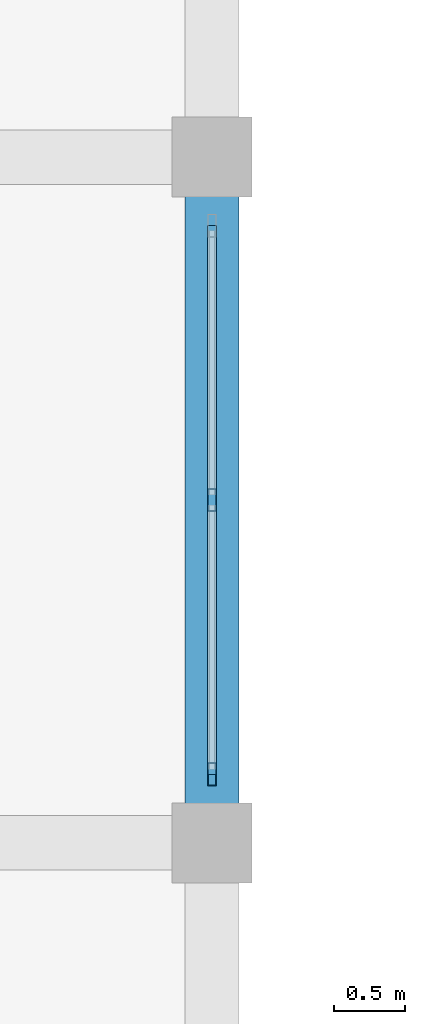
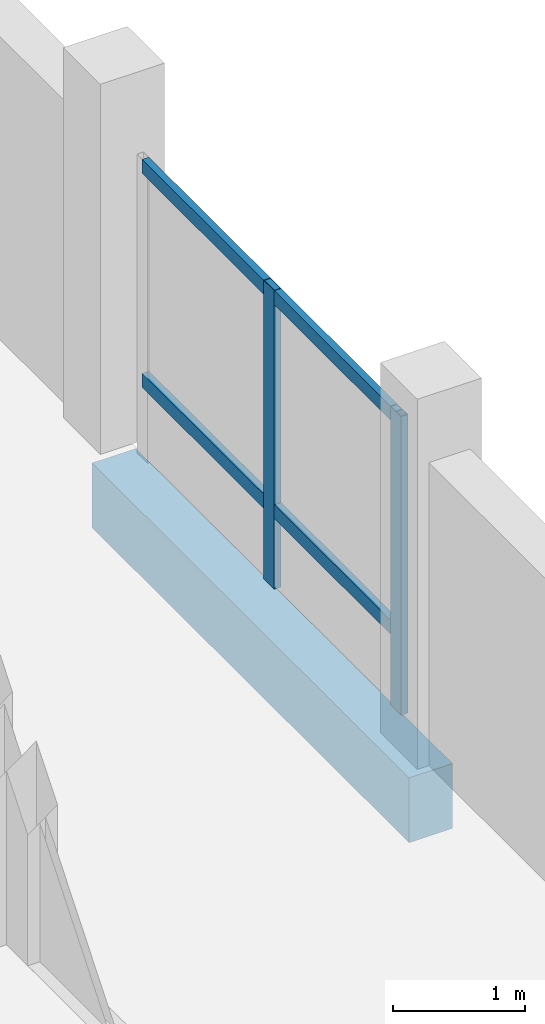
# One storey, part 14 of 84: 4 members, 1 beam, 1 element without a shape of its own.
"""IFC4 building model written with IfcOpenShell, lengths in metres."""

from ifc_helpers import new_model, si_unit, direction, frame, origin, origin_2d, place, context, subcontext, project, spatial, rectangle, hollow_rectangle, extrude, material, material_profile, profile_set, type_object, element, aggregate, save


model = new_model("IFC4")

# Units and contexts
model_context = context("Model", 3, precision=1e-05, world=origin(), true_north=direction((0.0, 1.0)))
body_context = subcontext(model_context, "Body", "Model", "MODEL_VIEW")
ifc_project = project(units=[si_unit("LENGTHUNIT", "METRE"), si_unit("AREAUNIT", "SQUARE_METRE"), si_unit("VOLUMEUNIT", "CUBIC_METRE"), si_unit("PLANEANGLEUNIT", "RADIAN"), si_unit("MASSUNIT", "GRAM", prefix="KILO")], contexts=[model_context])

# Site, building, storey
site_placement = place(None, origin())
site = spatial("IfcSite", under=ifc_project, at=site_placement, CompositionType="ELEMENT")
building_placement = place(site_placement, origin())
building = spatial("IfcBuilding", under=site, at=building_placement, Name="Zornivar Specialist Clinic", CompositionType="ELEMENT")
storey_placement = place(building_placement, frame((0.0, 0.0, 12.300048828125)))
storey = spatial("IfcBuildingStorey", under=building, at=storey_placement, Name="L03", CompositionType="ELEMENT", Elevation=12.300048828125)

# Beam
ifc_material_1 = material(Name="Concrete C30/37", Category="concrete")
ifc_material_profile_1 = material_profile(ifc_material_1, rectangle(XDim=0.3798828125, YDim=0.60009765625, at=origin_2d()), Name="RC 380x600")
ifc_profile_set_1 = profile_set([ifc_material_profile_1], Name="Concrete C30/37")
beam_type = type_object("IfcBeamType", Name="BM-RC-380x600", PredefinedType="BEAM", material=ifc_profile_set_1)
beam_placement = place(storey_placement, frame((14.39990234375, 43.199951171875, -0.580078125), z_axis=(0.0, 1.0, 0.0), x_axis=(-1.0, 0.0, 0.0)))
element("IfcBeam", 1, at=beam_placement, inside=storey, type_object=beam_type, Name="bm:V2:L03:y:144:6", PredefinedType="BEAM", context=body_context, shape_type="SweptSolid", body=[
    extrude(rectangle(XDim=0.3798828125, YDim=0.60009765625, at=origin_2d()), origin(), (0.0, 0.0, 1.0), 4.800048828125),
])

# Curtain wall, members
ifc_material_2 = material(Name="Aluminium and Low-E Glass Curtain Wall", Category="aluminium")
curtain_wall_type = type_object("IfcCurtainWallType", Name="CW-REVAK-COURT", PredefinedType="NOTDEFINED", material=ifc_material_2)
curtain_wall_placement = place(storey_placement, origin())
curtain_wall = element("IfcCurtainWall", 2, at=curtain_wall_placement, inside=storey, type_object=curtain_wall_type, Name="cw:V2:L03:16", PredefinedType="NOTDEFINED")
ifc_material_3 = material(Name="Aluminium AW-6060", Category="aluminium")
ifc_material_profile_2 = material_profile(ifc_material_3, hollow_rectangle(XDim=0.06005859375, YDim=0.159912109375, WallThickness=0.00390625, at=origin_2d()), Name="ALU 60x160x4")
ifc_profile_set_2 = profile_set([ifc_material_profile_2], Name="Aluminium AW-6060")
member_type_1 = type_object("IfcMemberType", Name="CWM-MUL-160", PredefinedType="MULLION", material=ifc_profile_set_2)
member_1_placement = place(storey_placement, frame((14.39990234375, 43.679931640625, 0.0), z_axis=(0.0, 0.0, 1.0), x_axis=(1.0, 0.0, 0.0)))
member_1 = element("IfcMember", 3, at=member_1_placement, type_object=member_type_1, Name="cw:V2:L03:16:mul:0", PredefinedType="MULLION", context=body_context, shape_type="SweptSolid", body=[
    extrude(hollow_rectangle(XDim=0.06005859375, YDim=0.159912109375, WallThickness=0.00390625, at=origin_2d()), origin(), (0.0, 0.0, 1.0), 2.760009765625),
])
member_2_placement = place(storey_placement, frame((14.39990234375, 45.60009765625, 0.0), z_axis=(0.0, 0.0, 1.0), x_axis=(1.0, 0.0, 0.0)))
member_2 = element("IfcMember", 4, at=member_2_placement, type_object=member_type_1, Name="cw:V2:L03:16:mul:1", PredefinedType="MULLION", context=body_context, shape_type="SweptSolid", body=[
    extrude(hollow_rectangle(XDim=0.06005859375, YDim=0.159912109375, WallThickness=0.00390625, at=origin_2d()), origin(), (0.0, 0.0, 1.0), 2.760009765625),
])
ifc_material_4 = material(Name="Aluminium AW-6060", Category="aluminium")
ifc_material_profile_3 = material_profile(ifc_material_4, hollow_rectangle(XDim=0.06005859375, YDim=0.1298828125, WallThickness=0.00390625, at=origin_2d()), Name="ALU 60x130x4")
ifc_profile_set_3 = profile_set([ifc_material_profile_3], Name="Aluminium AW-6060")
member_type_2 = type_object("IfcMemberType", Name="CWM-TRN-130", PredefinedType="USERDEFINED", material=ifc_profile_set_3)
member_3_placement = place(storey_placement, frame((14.39990234375, 43.679931640625, 0.718017578125), z_axis=(0.0, 1.0, 0.0), x_axis=(-1.0, 0.0, 0.0)))
member_3 = element("IfcMember", 5, at=member_3_placement, type_object=member_type_2, Name="cw:V2:L03:16:trn:0", ObjectType="TRANSOM", PredefinedType="USERDEFINED", context=body_context, shape_type="SweptSolid", body=[
    extrude(hollow_rectangle(XDim=0.06005859375, YDim=0.1298828125, WallThickness=0.00390625, at=origin_2d()), origin(), (0.0, 0.0, 1.0), 3.840087890625),
])
member_4_placement = place(storey_placement, frame((14.39990234375, 43.679931640625, 2.695068359375), z_axis=(0.0, 1.0, 0.0), x_axis=(-1.0, 0.0, 0.0)))
member_4 = element("IfcMember", 6, at=member_4_placement, type_object=member_type_2, Name="cw:V2:L03:16:trn:1", ObjectType="TRANSOM", PredefinedType="USERDEFINED", context=body_context, shape_type="SweptSolid", body=[
    extrude(hollow_rectangle(XDim=0.06005859375, YDim=0.1298828125, WallThickness=0.00390625, at=origin_2d()), origin(), (0.0, 0.0, 1.0), 3.840087890625),
])
aggregate(curtain_wall, [member_1, member_2, member_3, member_4])

save(model, "model.ifc")
